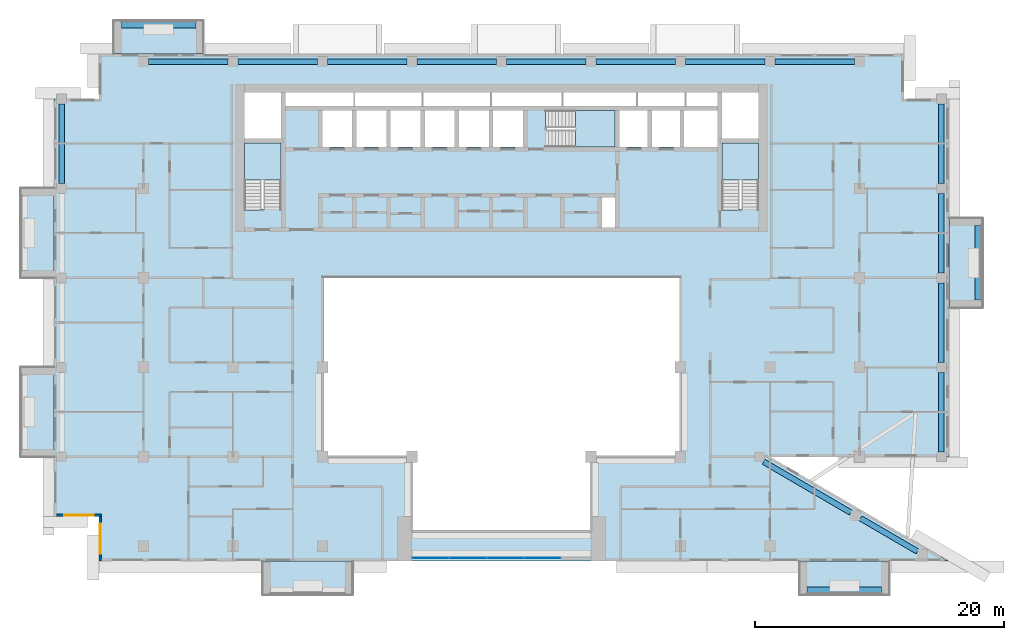
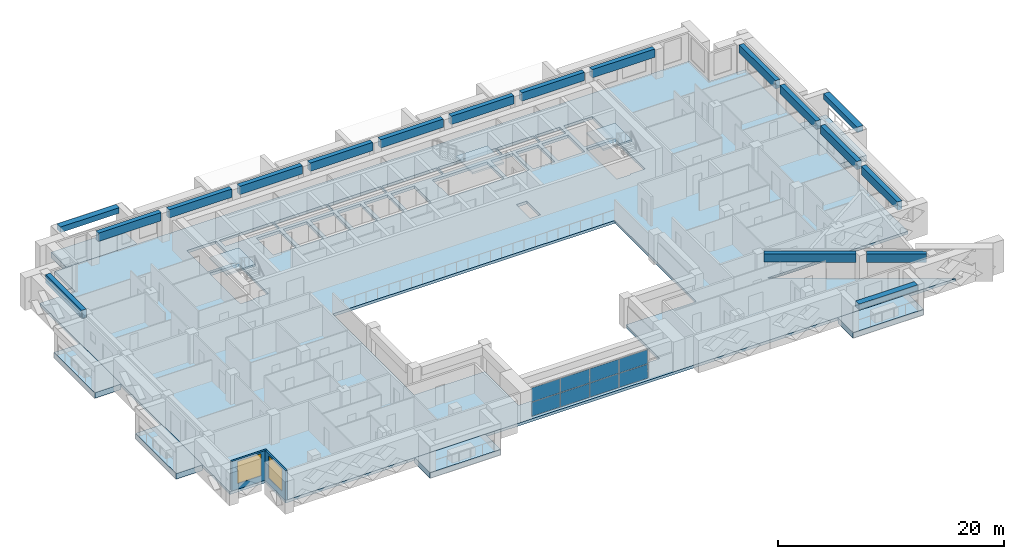
# One storey, part 5 of 20: 18 beams, 10 slabs, 8 plates, 2 walls, 2 windows, 2 openings, 4 elements without a shape of their own.
"""IFC4 building model written with IfcOpenShell, lengths in metres."""

from ifc_helpers import new_model, si_unit, direction, frame, frame_2d, origin, origin_2d, place, context, subcontext, project, spatial, polyline, rectangle, outline, extrude, source, transform, mapped, material, layer, layer_set, material_profile, profile_set, type_object, element, fill, aggregate, save


model = new_model("IFC4")

# Units and contexts
model_context = context("Model", 3, precision=1e-05, world=origin(), true_north=direction((0.0, 1.0)))
body_context = subcontext(model_context, "Body", "Model", "MODEL_VIEW")
ifc_project = project(units=[si_unit("LENGTHUNIT", "METRE"), si_unit("AREAUNIT", "SQUARE_METRE"), si_unit("VOLUMEUNIT", "CUBIC_METRE"), si_unit("PLANEANGLEUNIT", "RADIAN"), si_unit("MASSUNIT", "GRAM", prefix="KILO")], contexts=[model_context])

# Site, building, storey
site_placement = place(None, origin())
site = spatial("IfcSite", under=ifc_project, at=site_placement, CompositionType="ELEMENT")
building_placement = place(site_placement, origin())
building = spatial("IfcBuilding", under=site, at=building_placement, Name="Saffron Iwan Residences", CompositionType="ELEMENT")
storey_placement = place(building_placement, frame((0.0, 0.0, 195.5)))
storey = spatial("IfcBuildingStorey", under=building, at=storey_placement, Name="L52", CompositionType="ELEMENT", Elevation=195.5)

# Beams
ifc_material_1 = material(Name="Concrete C50/60", Category="concrete")
ifc_material_profile_1 = material_profile(ifc_material_1, rectangle(XDim=0.449951171875, YDim=0.89990234375, at=origin_2d()), Name="RC 450x900")
ifc_profile_set_1 = profile_set([ifc_material_profile_1], Name="Concrete C50/60")
beam_type_1 = type_object("IfcBeamType", Name="SPANDREL BEAM RC 450x900 C50/60 TOP 3200", PredefinedType="SPANDREL", material=ifc_profile_set_1)
shared_shape_1 = source(origin(), body_context, "Body", "SweptSolid", [
    extrude(rectangle(XDim=0.449951171875, YDim=0.89990234375, at=origin_2d()), origin(), (0.0, 0.0, 1.0), 5.300537109375),
])
beam_1_placement = place(storey_placement, frame((79.297607421875, 43.04833984375, 2.75), z_axis=(0.86379560586, -0.503842387357, 0.0), x_axis=(0.503842387357, 0.86379560586, 0.0)))
element("IfcBeam", 1, at=beam_1_placement, inside=storey, type_object=beam_type_1, Name="Spandrel beam", PredefinedType="SPANDREL", context=body_context, shape_type="MappedRepresentation", body=[
    mapped(shared_shape_1, transform((0.0, 0.0, 0.0))),
])
shared_shape_2 = source(origin(), body_context, "Body", "SweptSolid", [
    extrude(rectangle(XDim=0.449951171875, YDim=0.89990234375, at=origin_2d()), origin(), (0.0, 0.0, 1.0), 8.107177734375),
])
beam_2_placement = place(storey_placement, frame((71.494873046875, 47.60009765625, 2.75), z_axis=(0.863783269703, -0.503863536071, 0.0), x_axis=(0.503863536071, 0.863783269703, 0.0)))
element("IfcBeam", 2, at=beam_2_placement, inside=storey, type_object=beam_type_1, Name="Spandrel beam", PredefinedType="SPANDREL", context=body_context, shape_type="MappedRepresentation", body=[
    mapped(shared_shape_2, transform((0.0, 0.0, 0.0))),
])
shared_shape_3 = source(origin(), body_context, "Body", "SweptSolid", [
    extrude(rectangle(XDim=0.449951171875, YDim=0.89990234375, at=origin_2d()), origin(), (0.0, 0.0, 1.0), 6.400146484375),
])
for number, where, z_axis, x_axis, name in (
    (3, (85.800048828125, 54.800048828125, 2.75), (0.0, -1.0, 0.0), (1.0, 0.0, 0.0), "Spandrel beam"),
    (4, (29.199951171875, 79.800048828125, 2.75), (1.0, 0.0, 0.0), (0.0, 1.0, 0.0), "Spandrel beam"),
    (5, (36.39990234375, 79.800048828125, 2.75), (1.0, 0.0, 0.0), (0.0, 1.0, 0.0), "Spandrel beam"),
    (6, (65.199951171875, 79.800048828125, 2.75), (1.0, 0.0, 0.0), (0.0, 1.0, 0.0), "Spandrel beam"),
    (7, (72.39990234375, 79.800048828125, 2.75), (1.0, 0.0, 0.0), (0.0, 1.0, 0.0), "Spandrel beam"),
):
    element("IfcBeam", number, at=place(storey_placement, frame(where, z_axis=z_axis, x_axis=x_axis)), inside=storey, type_object=beam_type_1, Name=name, PredefinedType="SPANDREL", context=body_context, shape_type="MappedRepresentation", body=[
        mapped(shared_shape_3, transform((0.0, 0.0, 0.0))),
    ])
shared_shape_4 = source(origin(), body_context, "Body", "SweptSolid", [
    extrude(rectangle(XDim=0.449951171875, YDim=0.89990234375, at=origin_2d()), origin(), (0.0, 0.0, 1.0), 6.39990234375),
])
for number, where, z_axis, x_axis, name in (
    (8, (85.800048828125, 62.0, 2.75), (0.0, -1.0, 0.0), (1.0, 0.0, 0.0), "Spandrel beam"),
    (9, (85.800048828125, 69.199951171875, 2.75), (0.0, -1.0, 0.0), (1.0, 0.0, 0.0), "Spandrel beam"),
    (10, (15.0, 70.0, 2.75), (0.0, 1.0, 0.0), (-1.0, 0.0, 0.0), "Spandrel beam"),
    (11, (85.800048828125, 76.39990234375, 2.75), (0.0, -1.0, 0.0), (1.0, 0.0, 0.0), "Spandrel beam"),
    (12, (22.0, 79.800048828125, 2.75), (1.0, 0.0, 0.0), (0.0, 1.0, 0.0), "Spandrel beam"),
    (13, (43.60009765625, 79.800048828125, 2.75), (1.0, 0.0, 0.0), (0.0, 1.0, 0.0), "Spandrel beam"),
    (14, (50.800048828125, 79.800048828125, 2.75), (1.0, 0.0, 0.0), (0.0, 1.0, 0.0), "Spandrel beam"),
    (15, (58.0, 79.800048828125, 2.75), (1.0, 0.0, 0.0), (0.0, 1.0, 0.0), "Spandrel beam"),
):
    element("IfcBeam", number, at=place(storey_placement, frame(where, z_axis=z_axis, x_axis=x_axis)), inside=storey, type_object=beam_type_1, Name=name, PredefinedType="SPANDREL", context=body_context, shape_type="MappedRepresentation", body=[
        mapped(shared_shape_4, transform((0.0, 0.0, 0.0))),
    ])
ifc_material_2 = material(Name="Concrete C50/60 white painted", Category="concrete")
ifc_material_profile_2 = material_profile(ifc_material_2, rectangle(XDim=0.60009765625, YDim=0.60009765625, at=origin_2d()), Name="BALCONY FASCIA BEAM 600 x 600")
ifc_profile_set_2 = profile_set([ifc_material_profile_2], Name="Concrete C50/60 white painted")
beam_type_2 = type_object("IfcBeamType", Name="BALCONY FASCIA BEAM 600 x 600", PredefinedType="BEAM", material=ifc_profile_set_2)
shared_shape_5 = source(origin(), body_context, "Body", "SweptSolid", [
    extrude(rectangle(XDim=0.60009765625, YDim=0.60009765625, at=origin_2d()), origin(), (0.0, 0.0, 1.0), 6.0),
])
for number, where, z_axis, x_axis, name in (
    (16, (88.800048828125, 60.60009765625, 2.550048828125), (0.0, 1.0, 0.0), (-1.0, 0.0, 0.0), "Balcony fascia beam L52 F2-0"),
    (17, (25.800048828125, 82.800048828125, 2.550048828125), (-1.0, 0.0, 0.0), (0.0, -1.0, 0.0), "Balcony fascia beam L52 F5-3"),
    (18, (75.0, 37.199951171875, 2.550048828125), (1.0, 0.0, 0.0), (0.0, 1.0, 0.0), "Balcony fascia beam L52 11-2"),
):
    element("IfcBeam", number, at=place(storey_placement, frame(where, z_axis=z_axis, x_axis=x_axis)), inside=storey, type_object=beam_type_2, Name=name, PredefinedType="BEAM", context=body_context, shape_type="MappedRepresentation", body=[
        mapped(shared_shape_5, transform((0.0, 0.0, 0.0))),
    ])

# Slabs
ifc_layer_1 = layer(ifc_material_2, 0.60009765625)
ifc_layer_set_1 = layer_set([ifc_layer_1], Name="Concrete C50/60 white painted")
slab_type_1 = type_object("IfcSlabType", Name="BALCONY FRAME SLAB 600", PredefinedType="FLOOR", material=ifc_layer_set_1)
slab_1_placement = place(storey_placement, frame((0.0, 0.0, -0.60009765625)))
element("IfcSlab", 19, at=slab_1_placement, inside=storey, type_object=slab_type_1, Name="Balcony frame slab L52 F2-0", PredefinedType="FLOOR", context=body_context, shape_type="SweptSolid", body=[
    extrude(outline(polyline([(89.10009765625, 60.0), (89.10009765625, 67.199951171875), (86.39990234375, 67.199951171875), (86.39990234375, 60.0), (89.10009765625, 60.0)])), origin(), (0.0, 0.0, 1.0), 0.60009765625),
])
slab_2_placement = place(storey_placement, frame((0.0, 0.0, -0.60009765625)))
element("IfcSlab", 20, at=slab_2_placement, inside=storey, type_object=slab_type_1, Name="Balcony frame slab L52 F5-3", PredefinedType="FLOOR", context=body_context, shape_type="SweptSolid", body=[
    extrude(outline(polyline([(26.39990234375, 83.10009765625), (19.199951171875, 83.10009765625), (19.199951171875, 80.39990234375), (26.39990234375, 80.39990234375), (26.39990234375, 83.10009765625)])), origin(), (0.0, 0.0, 1.0), 0.60009765625),
])
slab_3_placement = place(storey_placement, frame((0.0, 0.0, -0.60009765625)))
element("IfcSlab", 21, at=slab_3_placement, inside=storey, type_object=slab_type_1, Name="Balcony frame slab L52 F8-0", PredefinedType="FLOOR", context=body_context, shape_type="SweptSolid", body=[
    extrude(outline(polyline([(11.699951171875, 69.60009765625), (11.699951171875, 62.39990234375), (14.39990234375, 62.39990234375), (14.39990234375, 69.60009765625), (11.699951171875, 69.60009765625)])), origin(), (0.0, 0.0, 1.0), 0.60009765625),
])
slab_4_placement = place(storey_placement, frame((0.0, 0.0, -0.60009765625)))
element("IfcSlab", 22, at=slab_4_placement, inside=storey, type_object=slab_type_1, Name="Balcony frame slab L52 F8-1", PredefinedType="FLOOR", context=body_context, shape_type="SweptSolid", body=[
    extrude(outline(polyline([(11.699951171875, 55.199951171875), (11.699951171875, 48.0), (14.39990234375, 48.0), (14.39990234375, 55.199951171875), (11.699951171875, 55.199951171875)])), origin(), (0.0, 0.0, 1.0), 0.60009765625),
])
slab_5_placement = place(storey_placement, frame((0.0, 0.0, -0.60009765625)))
element("IfcSlab", 23, at=slab_5_placement, inside=storey, type_object=slab_type_1, Name="Balcony frame slab L52 11-0", PredefinedType="FLOOR", context=body_context, shape_type="SweptSolid", body=[
    extrude(outline(polyline([(31.199951171875, 36.89990234375), (38.39990234375, 36.89990234375), (38.39990234375, 39.60009765625), (31.199951171875, 39.60009765625), (31.199951171875, 36.89990234375)])), origin(), (0.0, 0.0, 1.0), 0.60009765625),
])
slab_6_placement = place(storey_placement, frame((0.0, 0.0, -0.60009765625)))
element("IfcSlab", 24, at=slab_6_placement, inside=storey, type_object=slab_type_1, Name="Balcony frame slab L52 11-2", PredefinedType="FLOOR", context=body_context, shape_type="SweptSolid", body=[
    extrude(outline(polyline([(74.39990234375, 36.89990234375), (81.60009765625, 36.89990234375), (81.60009765625, 39.60009765625), (74.39990234375, 39.60009765625), (74.39990234375, 36.89990234375)])), origin(), (0.0, 0.0, 1.0), 0.60009765625),
])
ifc_material_3 = material(Name="Concrete C40/50", Category="concrete")
ifc_layer_2 = layer(ifc_material_3, 0.300048828125)
ifc_layer_set_2 = layer_set([ifc_layer_2], Name="Concrete C40/50")
slab_type_2 = type_object("IfcSlabType", Name="PT PLATE 300 C40/50", PredefinedType="FLOOR", material=ifc_layer_set_2)
slab_7_placement = place(storey_placement, frame((0.0, 0.0, -0.300048828125)))
element("IfcSlab", 25, at=slab_7_placement, inside=storey, type_object=slab_type_2, Name="Floor slab L52", PredefinedType="FLOOR", context=body_context, shape_type="SweptSolid", body=[
    extrude(outline(polyline([(14.39990234375, 43.199951171875), (14.39990234375, 76.800048828125), (18.0, 76.800048828125), (18.0, 80.39990234375), (82.800048828125, 80.39990234375), (82.800048828125, 76.800048828125), (86.39990234375, 76.800048828125), (86.39990234375, 48.0), (72.0, 48.0), (86.39990234375, 39.60009765625), (18.0, 39.60009765625), (18.0, 43.199951171875), (14.39990234375, 43.199951171875)]), holes=[polyline([(64.800048828125, 48.0), (64.800048828125, 62.39990234375), (36.0, 62.39990234375), (36.0, 48.0), (43.199951171875, 48.0), (43.199951171875, 42.0), (57.60009765625, 42.0), (57.60009765625, 48.0), (64.800048828125, 48.0)]), polyline([(29.699951171875, 73.25), (29.699951171875, 67.949951171875), (29.699951171875, 67.8505859375), (31.10009765625, 67.8505859375), (31.10009765625, 67.949951171875), (32.64990234375, 67.949951171875), (32.64990234375, 73.25), (29.699951171875, 73.25)]), polyline([(38.375, 75.875), (35.97509765625, 75.875), (35.97509765625, 72.925048828125), (38.375, 72.925048828125), (38.375, 75.875)]), polyline([(41.125, 75.875), (38.72509765625, 75.875), (38.72509765625, 72.925048828125), (41.125, 72.925048828125), (41.125, 75.875)]), polyline([(43.875, 72.925048828125), (43.875, 75.875), (41.47509765625, 75.875), (41.47509765625, 72.925048828125), (43.875, 72.925048828125)]), polyline([(46.625, 72.925048828125), (46.625, 75.875), (44.22509765625, 75.875), (44.22509765625, 72.925048828125), (46.625, 72.925048828125)]), polyline([(49.375, 75.875), (46.97509765625, 75.875), (46.97509765625, 72.925048828125), (49.375, 72.925048828125), (49.375, 75.875)]), polyline([(52.125, 72.925048828125), (52.125, 75.875), (49.72509765625, 75.875), (49.72509765625, 72.925048828125), (52.125, 72.925048828125)]), polyline([(32.64990234375, 73.60009765625), (32.64990234375, 77.300048828125), (29.699951171875, 77.300048828125), (29.699951171875, 73.60009765625), (32.64990234375, 73.60009765625)]), polyline([(38.5, 77.300048828125), (33.0, 77.300048828125), (33.0, 76.22509765625), (38.5, 76.22509765625), (38.5, 77.300048828125)]), polyline([(44.0, 76.22509765625), (44.0, 77.300048828125), (38.60009765625, 77.300048828125), (38.60009765625, 76.22509765625), (44.0, 76.22509765625)]), polyline([(49.5, 76.22509765625), (49.5, 77.300048828125), (44.10009765625, 77.300048828125), (44.10009765625, 76.22509765625), (49.5, 76.22509765625)]), polyline([(59.550048828125, 68.875), (58.47509765625, 68.875), (58.47509765625, 66.449951171875), (59.550048828125, 66.449951171875), (59.550048828125, 68.875)]), polyline([(68.14990234375, 73.25), (68.14990234375, 67.949951171875), (68.14990234375, 67.8505859375), (69.550048828125, 67.8505859375), (69.550048828125, 67.949951171875), (71.10009765625, 67.949951171875), (71.10009765625, 73.25), (68.14990234375, 73.25)]), polyline([(54.02490234375, 74.47509765625), (54.02490234375, 72.925048828125), (59.550048828125, 72.925048828125), (59.550048828125, 75.875), (54.02490234375, 75.875), (53.925537109375, 75.875), (53.925537109375, 74.47509765625), (54.02490234375, 74.47509765625)]), polyline([(62.14990234375, 72.925048828125), (62.14990234375, 75.875), (59.89990234375, 75.875), (59.89990234375, 72.925048828125), (62.14990234375, 72.925048828125)]), polyline([(64.75, 72.925048828125), (64.75, 75.875), (62.5, 75.875), (62.5, 72.925048828125), (64.75, 72.925048828125)]), polyline([(67.800048828125, 75.875), (65.10009765625, 75.875), (65.10009765625, 72.925048828125), (67.800048828125, 72.925048828125), (67.800048828125, 75.875)]), polyline([(71.10009765625, 73.60009765625), (71.10009765625, 77.300048828125), (68.14990234375, 77.300048828125), (68.14990234375, 73.60009765625), (71.10009765625, 73.60009765625)]), polyline([(55.25, 76.22509765625), (55.25, 77.300048828125), (49.60009765625, 77.300048828125), (49.60009765625, 76.22509765625), (55.25, 76.22509765625)]), polyline([(61.25, 77.300048828125), (55.35009765625, 77.300048828125), (55.35009765625, 76.22509765625), (61.25, 76.22509765625), (61.25, 77.300048828125)]), polyline([(65.14990234375, 76.22509765625), (65.14990234375, 77.300048828125), (61.35009765625, 77.300048828125), (61.35009765625, 76.22509765625), (65.14990234375, 76.22509765625)]), polyline([(67.800048828125, 76.22509765625), (67.800048828125, 77.300048828125), (65.25, 77.300048828125), (65.25, 76.22509765625), (67.800048828125, 76.22509765625)])]), origin(), (0.0, 0.0, 1.0), 0.300048828125),
])

# Stair, slab
stair_type = type_object("IfcStairType", Name="Stair ST-CORE", PredefinedType="HALF_TURN_STAIR", material=ifc_material_1)
stair_1_placement = place(storey_placement, origin())
stair_1 = element("IfcStair", 26, at=stair_1_placement, inside=storey, type_object=stair_type, Name="L52 Exit Stair ST-W", PredefinedType="HALF_TURN_STAIR")
ifc_layer_3 = layer(ifc_material_1, 0.199951171875)
ifc_layer_set_3 = layer_set([ifc_layer_3], Name="Concrete C50/60")
slab_type_3 = type_object("IfcSlabType", Name="Stair landing SL-RC", PredefinedType="LANDING", material=ifc_layer_set_3)
slab_8_placement = place(storey_placement, frame((0.0, 0.0, 1.5498046875)))
slab_8 = element("IfcSlab", 27, at=slab_8_placement, type_object=slab_type_3, Name="ST-W landing 1", PredefinedType="LANDING", context=body_context, shape_type="SweptSolid", body=[
    extrude(outline(polyline([(32.64990234375, 70.280029296875), (32.64990234375, 73.25), (29.699951171875, 73.25), (29.699951171875, 70.280029296875), (32.64990234375, 70.280029296875)])), origin(), (0.0, 0.0, 1.0), 0.2001953125),
])
aggregate(stair_1, [slab_8])

stair_2_placement = place(storey_placement, origin())
stair_2 = element("IfcStair", 28, at=stair_2_placement, inside=storey, type_object=stair_type, Name="L52 Exit Stair ST-C", PredefinedType="HALF_TURN_STAIR")
slab_9_placement = place(storey_placement, frame((0.0, 0.0, 1.5498046875)))
slab_9 = element("IfcSlab", 29, at=slab_9_placement, type_object=slab_type_3, Name="ST-C landing 1", PredefinedType="LANDING", context=body_context, shape_type="SweptSolid", body=[
    extrude(outline(polyline([(56.35498046875, 72.925048828125), (59.550048828125, 72.925048828125), (59.550048828125, 75.875), (56.35498046875, 75.875), (56.35498046875, 72.925048828125)])), origin(), (0.0, 0.0, 1.0), 0.2001953125),
])
aggregate(stair_2, [slab_9])

stair_3_placement = place(storey_placement, origin())
stair_3 = element("IfcStair", 30, at=stair_3_placement, inside=storey, type_object=stair_type, Name="L52 Exit Stair ST-E", PredefinedType="HALF_TURN_STAIR")
slab_10_placement = place(storey_placement, frame((0.0, 0.0, 1.5498046875)))
slab_10 = element("IfcSlab", 31, at=slab_10_placement, type_object=slab_type_3, Name="ST-E landing 1", PredefinedType="LANDING", context=body_context, shape_type="SweptSolid", body=[
    extrude(outline(polyline([(71.10009765625, 70.280029296875), (71.10009765625, 73.25), (68.14990234375, 73.25), (68.14990234375, 70.280029296875), (71.10009765625, 70.280029296875)])), origin(), (0.0, 0.0, 1.0), 0.2001953125),
])
aggregate(stair_3, [slab_10])

# Curtain wall, plates
ifc_material_4 = material(Name="Clear glass, laminated double glazed", Category="glass")
ifc_layer_4 = layer(ifc_material_4, 0.199951171875)
ifc_layer_set_4 = layer_set([ifc_layer_4], Name="Clear glass, laminated double glazed")
curtain_wall_type = type_object("IfcCurtainWallType", Name="CW-B IWAN PORTAL", PredefinedType="NOTDEFINED", material=ifc_layer_set_4)
curtain_wall_placement = place(storey_placement, origin())
curtain_wall = element("IfcCurtainWall", 32, at=curtain_wall_placement, inside=storey, type_object=curtain_wall_type, Name="Iwan portal glazing L52.1", PredefinedType="NOTDEFINED")
ifc_layer_5 = layer(ifc_material_4, 0.028076171875)
ifc_layer_set_5 = layer_set([ifc_layer_5], Name="Clear glass, laminated double glazed")
plate_type = type_object("IfcPlateType", Name="CW-B PANEL 28", PredefinedType="CURTAIN_PANEL", material=ifc_layer_set_5)
shared_shape_6 = source(origin(), body_context, "Body", "SweptSolid", [
    extrude(rectangle(XDim=2.909912109375, YDim=0.028076171875, at=origin_2d()), origin(), (0.0, 0.0, 1.0), 1.510009765625),
])
plate_1_placement = place(storey_placement, frame((44.715087890625, 39.85009765625, 0.06005859375), z_axis=(0.0, 0.0, 1.0), x_axis=(1.0, 0.0, 0.0)))
plate_1 = element("IfcPlate", 33, at=plate_1_placement, type_object=plate_type, Name="CW-B panel 1.1", PredefinedType="CURTAIN_PANEL", context=body_context, shape_type="MappedRepresentation", body=[
    mapped(shared_shape_6, transform((0.0, 0.0, 0.0))),
])
plate_2_placement = place(storey_placement, frame((44.715087890625, 39.85009765625, 1.6298828125), z_axis=(0.0, 0.0, 1.0), x_axis=(1.0, 0.0, 0.0)))
plate_2 = element("IfcPlate", 34, at=plate_2_placement, type_object=plate_type, Name="CW-B panel 1.2", PredefinedType="CURTAIN_PANEL", context=body_context, shape_type="MappedRepresentation", body=[
    mapped(shared_shape_6, transform((0.0, 0.0, 0.0))),
])
plate_3_placement = place(storey_placement, frame((53.68505859375, 39.85009765625, 0.06005859375), z_axis=(0.0, 0.0, 1.0), x_axis=(1.0, 0.0, 0.0)))
plate_3 = element("IfcPlate", 35, at=plate_3_placement, type_object=plate_type, Name="CW-B panel 4.1", PredefinedType="CURTAIN_PANEL", context=body_context, shape_type="MappedRepresentation", body=[
    mapped(shared_shape_6, transform((0.0, 0.0, 0.0))),
])
plate_4_placement = place(storey_placement, frame((53.68505859375, 39.85009765625, 1.6298828125), z_axis=(0.0, 0.0, 1.0), x_axis=(1.0, 0.0, 0.0)))
plate_4 = element("IfcPlate", 36, at=plate_4_placement, type_object=plate_type, Name="CW-B panel 4.2", PredefinedType="CURTAIN_PANEL", context=body_context, shape_type="MappedRepresentation", body=[
    mapped(shared_shape_6, transform((0.0, 0.0, 0.0))),
])
shared_shape_7 = source(origin(), body_context, "Body", "SweptSolid", [
    extrude(rectangle(XDim=2.93994140625, YDim=0.028076171875, at=origin_2d()), origin(), (0.0, 0.0, 1.0), 1.510009765625),
])
plate_5_placement = place(storey_placement, frame((47.699951171875, 39.85009765625, 0.06005859375), z_axis=(0.0, 0.0, 1.0), x_axis=(1.0, 0.0, 0.0)))
plate_5 = element("IfcPlate", 37, at=plate_5_placement, type_object=plate_type, Name="CW-B panel 2.1", PredefinedType="CURTAIN_PANEL", context=body_context, shape_type="MappedRepresentation", body=[
    mapped(shared_shape_7, transform((0.0, 0.0, 0.0))),
])
plate_6_placement = place(storey_placement, frame((47.699951171875, 39.85009765625, 1.6298828125), z_axis=(0.0, 0.0, 1.0), x_axis=(1.0, 0.0, 0.0)))
plate_6 = element("IfcPlate", 38, at=plate_6_placement, type_object=plate_type, Name="CW-B panel 2.2", PredefinedType="CURTAIN_PANEL", context=body_context, shape_type="MappedRepresentation", body=[
    mapped(shared_shape_7, transform((0.0, 0.0, 0.0))),
])
plate_7_placement = place(storey_placement, frame((50.699951171875, 39.85009765625, 0.06005859375), z_axis=(0.0, 0.0, 1.0), x_axis=(1.0, 0.0, 0.0)))
plate_7 = element("IfcPlate", 39, at=plate_7_placement, type_object=plate_type, Name="CW-B panel 3.1", PredefinedType="CURTAIN_PANEL", context=body_context, shape_type="MappedRepresentation", body=[
    mapped(shared_shape_7, transform((0.0, 0.0, 0.0))),
])
plate_8_placement = place(storey_placement, frame((50.699951171875, 39.85009765625, 1.6298828125), z_axis=(0.0, 0.0, 1.0), x_axis=(1.0, 0.0, 0.0)))
plate_8 = element("IfcPlate", 40, at=plate_8_placement, type_object=plate_type, Name="CW-B panel 3.2", PredefinedType="CURTAIN_PANEL", context=body_context, shape_type="MappedRepresentation", body=[
    mapped(shared_shape_7, transform((0.0, 0.0, 0.0))),
])
aggregate(curtain_wall, [plate_1, plate_2, plate_5, plate_6, plate_7, plate_8, plate_3, plate_4])

# Wall, opening, window
ifc_layer_6 = layer(ifc_material_3, 0.199951171875)
ifc_layer_set_6 = layer_set([ifc_layer_6], Name="Concrete C40/50")
wall_type = type_object("IfcWallType", Name="EXTERNAL WALL 200", PredefinedType="SOLIDWALL", material=ifc_layer_set_6)
wall_1_placement = place(storey_placement, frame((14.60009765625, 43.300048828125, 0.0), z_axis=(0.0, 0.0, 1.0), x_axis=(1.0, 0.0, 0.0)))
wall_1 = element("IfcWall", 41, at=wall_1_placement, inside=storey, type_object=wall_type, Name="External wall L52 F9.0", PredefinedType="SOLIDWALL", context=body_context, shape_type="SweptSolid", body=[
    extrude(rectangle(XDim=3.599853515625, YDim=0.199951171875, at=frame_2d((1.7998046875, 0.0))), origin(), (0.0, 0.0, 1.0), 3.199951171875),
])
opening_1_placement = place(wall_1_placement, frame((0.60009765625, 0.0, 0.60009765625)))
opening_1 = element("IfcOpeningElement", 42, at=opening_1_placement, cuts=wall_1, Name="Opening W1", PredefinedType="OPENING", context=body_context, shape_type="SweptSolid", body=[
    extrude(rectangle(XDim=2.39990234375, YDim=2.39990234375, at=frame_2d((1.199951171875, 1.199951171875))), frame((0.0, 0.10986328125, 0.0), z_axis=(0.0, -1.0, 0.0), x_axis=(1.0, 0.0, 0.0)), (0.0, 0.0, 1.0), 0.219970703125),
])
window_type = type_object("IfcWindowType", Name="WINDOW 2400 x 2400", PartitioningType="DOUBLE_PANEL_VERTICAL", PredefinedType="WINDOW", material=ifc_material_4)
window_1_placement = place(opening_1_placement, origin())
window_1 = element("IfcWindow", 43, at=window_1_placement, inside=storey, type_object=window_type, Name="Window L52 F9.0", OverallHeight=2.39990234375, OverallWidth=2.39990234375, PartitioningType="DOUBLE_PANEL_VERTICAL", PredefinedType="WINDOW", context=body_context, shape_type="SweptSolid", body=[
    extrude(rectangle(XDim=2.39990234375, YDim=2.39990234375, at=frame_2d((1.199951171875, 1.199951171875))), frame((0.0, 0.030029296875, 0.0), z_axis=(0.0, -1.0, 0.0), x_axis=(1.0, 0.0, 0.0)), (0.0, 0.0, 1.0), 0.06005859375),
])
fill(opening_1, window_1)

wall_2_placement = place(storey_placement, frame((18.10009765625, 43.199951171875, 0.0), z_axis=(0.0, 0.0, 1.0), x_axis=(0.0, -1.0, 0.0)))
wall_2 = element("IfcWall", 44, at=wall_2_placement, inside=storey, type_object=wall_type, Name="External wall L52 F10.0", PredefinedType="SOLIDWALL", context=body_context, shape_type="SweptSolid", body=[
    extrude(rectangle(XDim=3.599853515625, YDim=0.199951171875, at=frame_2d((1.7998046875, 0.0))), origin(), (0.0, 0.0, 1.0), 3.199951171875),
])
opening_2_placement = place(wall_2_placement, frame((0.60009765625, 0.0, 0.60009765625)))
opening_2 = element("IfcOpeningElement", 45, at=opening_2_placement, cuts=wall_2, Name="Opening W1", PredefinedType="OPENING", context=body_context, shape_type="SweptSolid", body=[
    extrude(rectangle(XDim=2.39990234375, YDim=2.39990234375, at=frame_2d((1.199951171875, 1.199951171875))), frame((0.0, 0.10986328125, 0.0), z_axis=(0.0, -1.0, 0.0), x_axis=(1.0, 0.0, 0.0)), (0.0, 0.0, 1.0), 0.219970703125),
])
window_2_placement = place(opening_2_placement, origin())
window_2 = element("IfcWindow", 46, at=window_2_placement, inside=storey, type_object=window_type, Name="Window L52 F10.0", OverallHeight=2.39990234375, OverallWidth=2.39990234375, PartitioningType="DOUBLE_PANEL_VERTICAL", PredefinedType="WINDOW", context=body_context, shape_type="SweptSolid", body=[
    extrude(rectangle(XDim=2.39990234375, YDim=2.39990234375, at=frame_2d((1.199951171875, 1.199951171875))), frame((0.0, 0.030029296875, 0.0), z_axis=(0.0, -1.0, 0.0), x_axis=(1.0, 0.0, 0.0)), (0.0, 0.0, 1.0), 0.06005859375),
])
fill(opening_2, window_2)

save(model, "model.ifc")
